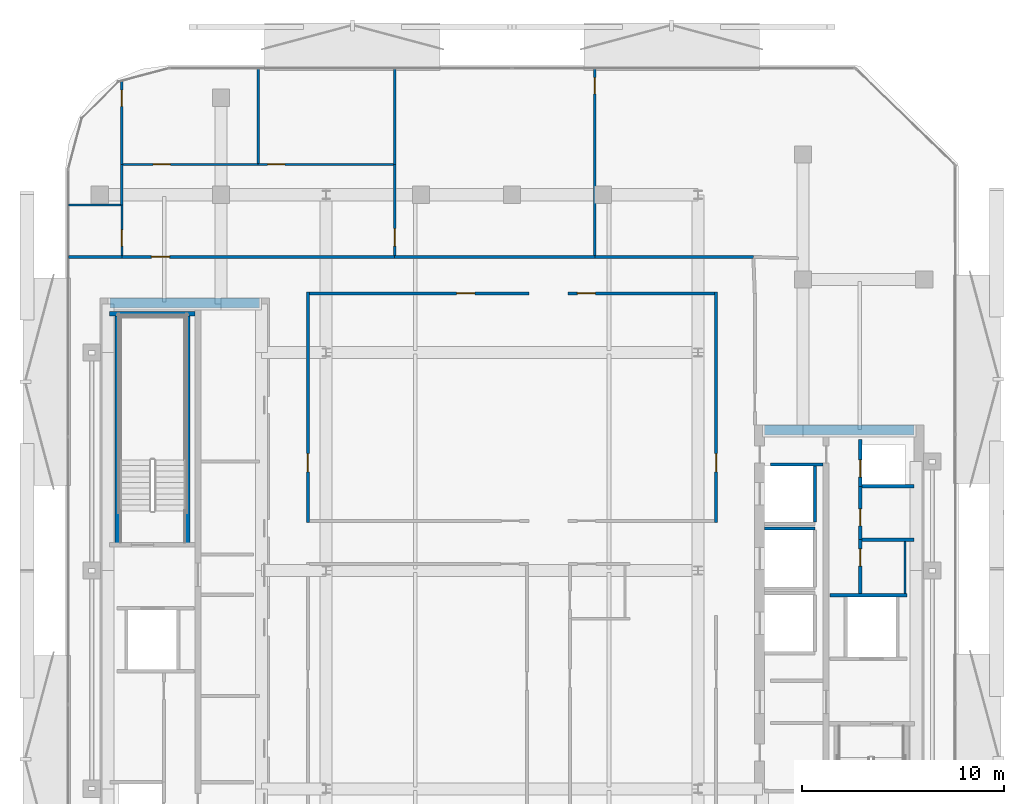
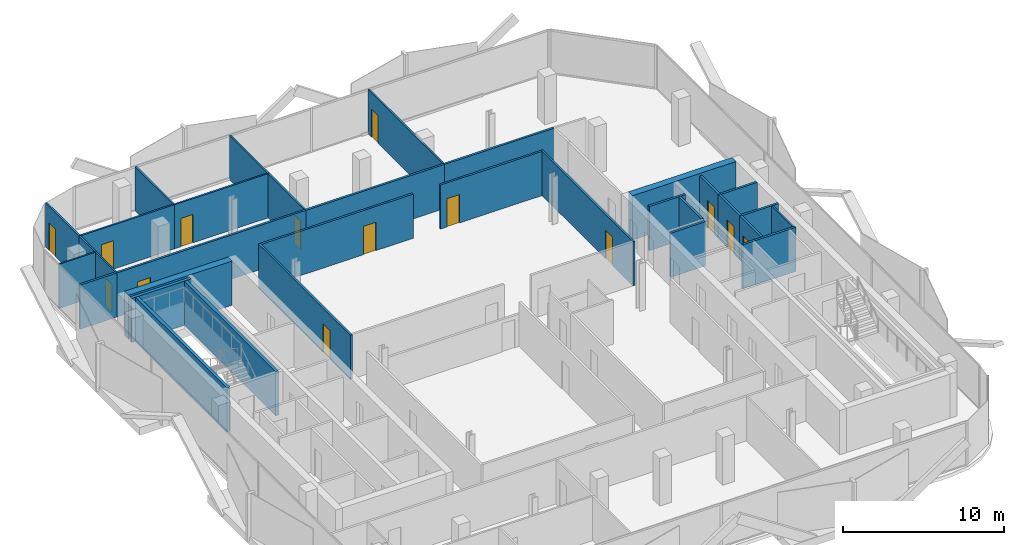
# One storey, part 5 of 14: 33 walls, 14 doors, 14 openings.
"""IFC4 building model written with IfcOpenShell, lengths in metres."""

from ifc_helpers import new_model, si_unit, direction, frame, frame_2d, origin, place, context, subcontext, project, spatial, rectangle, extrude, material, layer, layer_set, type_object, element, fill, save


model = new_model("IFC4")

# Units and contexts
model_context = context("Model", 3, precision=1e-05, world=origin(), true_north=direction((0.0, 1.0)))
body_context = subcontext(model_context, "Body", "Model", "MODEL_VIEW")
ifc_project = project(units=[si_unit("LENGTHUNIT", "METRE"), si_unit("AREAUNIT", "SQUARE_METRE"), si_unit("VOLUMEUNIT", "CUBIC_METRE"), si_unit("PLANEANGLEUNIT", "RADIAN"), si_unit("MASSUNIT", "GRAM", prefix="KILO")], contexts=[model_context])

# Site, building, storey
site_placement = place(None, origin())
site = spatial("IfcSite", under=ifc_project, at=site_placement, CompositionType="ELEMENT")
building_placement = place(site_placement, origin())
building = spatial("IfcBuilding", under=site, at=building_placement, Name="Khairoan Windgate Tower", CompositionType="ELEMENT")
storey_placement = place(building_placement, frame((0.0, 0.0, 240.39990234375)))
storey = spatial("IfcBuildingStorey", under=building, at=storey_placement, Name="L56", CompositionType="ELEMENT", Elevation=240.39990234375)

# Wall
ifc_material_1 = material(Name="Moisture-Resistant Gypsum Partition", Category="gypsum")
ifc_layer_1 = layer(ifc_material_1, 0.10009765625, Name="Moisture-Resistant Gypsum Partition")
ifc_layer_set_1 = layer_set([ifc_layer_1], Name="Moisture-Resistant Gypsum Partition")
wall_type_1 = type_object("IfcWallType", Name="Bathroom Wet-Area Partition Wall", PredefinedType="PARTITIONING", material=ifc_layer_set_1)
wall_1_placement = place(storey_placement, frame((-21.955078125, 18.10009765625, 0.0), z_axis=(0.0, 0.0, 1.0), x_axis=(1.0, 0.0, 0.0)))
element("IfcWall", 1, at=wall_1_placement, inside=storey, type_object=wall_type_1, Name="L56 Interior Partition 037", PredefinedType="PARTITIONING", context=body_context, shape_type="SweptSolid", body=[
    extrude(rectangle(XDim=2.594970703125, YDim=0.10009765625, at=frame_2d((1.29736328125, 0.0))), origin(), (0.0, 0.0, 1.0), 3.340087890625),
])

# Wall, opening, door
wall_2_placement = place(storey_placement, frame((-19.31005859375, 15.60009765625, 0.0), z_axis=(0.0, 0.0, 1.0), x_axis=(0.0, 1.0, 0.0)))
wall_2 = element("IfcWall", 2, at=wall_2_placement, inside=storey, type_object=wall_type_1, Name="L56 Interior Partition 038", PredefinedType="PARTITIONING", context=body_context, shape_type="SweptSolid", body=[
    extrude(rectangle(XDim=2.5, YDim=0.10009765625, at=frame_2d((1.25, 0.0))), origin(), (0.0, 0.0, 1.0), 3.340087890625),
])
opening_1_placement = place(wall_2_placement, frame((0.4599609375, 0.0, 0.0)))
opening_1 = element("IfcOpeningElement", 3, at=opening_1_placement, cuts=wall_2, Name="Opening ID-BTH", PredefinedType="OPENING", context=body_context, shape_type="SweptSolid", body=[
    extrude(rectangle(XDim=0.800048828125, YDim=2.10009765625, at=frame_2d((0.39990234375, 1.050048828125))), frame((0.0, 0.06005859375, 0.0), z_axis=(0.0, -1.0, 0.0), x_axis=(1.0, 0.0, 0.0)), (0.0, 0.0, 1.0), 0.1201171875),
])
ifc_material_2 = material(Name="Teak Veneer Timber Leaf", Category="wood")
door_type_1 = type_object("IfcDoorType", Name="Internal Bathroom Door ID-BTH 800x2100", OperationType="NOTDEFINED", PredefinedType="DOOR", material=ifc_material_2)
door_1_placement = place(opening_1_placement, origin())
door_1 = element("IfcDoor", 4, at=door_1_placement, inside=storey, type_object=door_type_1, Name="L56 L56-33-L56-35 Door", OperationType="SINGLE_SWING_RIGHT", OverallHeight=2.10009765625, OverallWidth=0.800048828125, PredefinedType="DOOR", context=body_context, shape_type="SweptSolid", body=[
    extrude(rectangle(XDim=0.800048828125, YDim=2.10009765625, at=frame_2d((0.39990234375, 1.050048828125))), frame((0.0, 0.02490234375, 0.0), z_axis=(0.0, -1.0, 0.0), x_axis=(1.0, 0.0, 0.0)), (0.0, 0.0, 1.0), 0.050048828125),
])
fill(opening_1, door_1)

# Walls
wall_3_placement = place(storey_placement, frame((19.449951171875, 1.449951171875, 0.0), z_axis=(0.0, 0.0, 1.0), x_axis=(0.0, -1.0, 0.0)))
element("IfcWall", 5, at=wall_3_placement, inside=storey, type_object=wall_type_1, Name="L56 Wet Room Side Wall 059", PredefinedType="PARTITIONING", context=body_context, shape_type="SweptSolid", body=[
    extrude(rectangle(XDim=2.58984375, YDim=0.10009765625, at=frame_2d((1.294921875, 0.0))), origin(), (0.0, 0.0, 1.0), 3.340087890625),
])
ifc_material_3 = material(Name="Concrete C40/50", Category="concrete")
ifc_layer_2 = layer(ifc_material_3, 0.159912109375, Name="Concrete C40/50")
ifc_layer_set_2 = layer_set([ifc_layer_2], Name="Concrete C40/50")
wall_type_2 = type_object("IfcWallType", Name="Core and Hoistway Enclosure Wall", PredefinedType="STANDARD", material=ifc_layer_set_2)
wall_4_placement = place(storey_placement, frame((14.989990234375, 2.39990234375, 0.0), z_axis=(0.0, 0.0, 1.0), x_axis=(0.0, 1.0, 0.0)))
element("IfcWall", 6, at=wall_4_placement, inside=storey, type_object=wall_type_2, Name="L56 Lift PL7 Hoistway Back Wall", PredefinedType="STANDARD", context=body_context, shape_type="SweptSolid", body=[
    extrude(rectangle(XDim=2.800048828125, YDim=0.159912109375, at=frame_2d((1.39990234375, 0.0))), origin(), (0.0, 0.0, 1.0), 3.340087890625),
])
wall_5_placement = place(storey_placement, frame((12.5, 2.090087890625, 0.0), z_axis=(0.0, 0.0, 1.0), x_axis=(1.0, 0.0, 0.0)))
element("IfcWall", 7, at=wall_5_placement, inside=storey, type_object=wall_type_2, Name="L56 Lift PL8 Hoistway Divider N", PredefinedType="STANDARD", context=body_context, shape_type="SweptSolid", body=[
    extrude(rectangle(XDim=2.489990234375, YDim=0.159912109375, at=frame_2d((1.2451171875, 0.0))), origin(), (0.0, 0.0, 1.0), 3.340087890625),
])
wall_6_placement = place(storey_placement, frame((15.75, -1.219970703125, 0.0), z_axis=(0.0, 0.0, 1.0), x_axis=(1.0, 0.0, 0.0)))
element("IfcWall", 8, at=wall_6_placement, inside=storey, type_object=wall_type_2, Name="L56 Core Shaft Wall SW-FL1T-L56", PredefinedType="STANDARD", context=body_context, shape_type="SweptSolid", body=[
    extrude(rectangle(XDim=3.800048828125, YDim=0.159912109375, at=frame_2d((1.89990234375, 0.0))), origin(), (0.0, 0.0, 1.0), 3.340087890625),
])
wall_7_placement = place(storey_placement, frame((12.800048828125, 5.25, 0.0), z_axis=(0.0, 0.0, 1.0), x_axis=(1.0, 0.0, 0.0)))
element("IfcWall", 9, at=wall_7_placement, inside=storey, type_object=wall_type_2, Name="L56 Core Shaft Wall SW-ESV-L56", PredefinedType="STANDARD", context=body_context, shape_type="SweptSolid", body=[
    extrude(rectangle(XDim=2.599853515625, YDim=0.159912109375, at=frame_2d((1.2998046875, 0.0))), origin(), (0.0, 0.0, 1.0), 3.340087890625),
])
ifc_material_4 = material(Name="Gypsum Stud Partition", Category="gypsum")
ifc_layer_3 = layer(ifc_material_4, 0.1201171875, Name="Gypsum Stud Partition")
ifc_layer_set_3 = layer_set([ifc_layer_3], Name="Gypsum Stud Partition")
wall_type_3 = type_object("IfcWallType", Name="Internal Room Partition Wall", PredefinedType="PARTITIONING", material=ifc_layer_set_3)
wall_8_placement = place(storey_placement, frame((-19.31005859375, 18.10009765625, 0.0), z_axis=(0.0, 0.0, 1.0), x_axis=(0.0, 1.0, 0.0)))
element("IfcWall", 10, at=wall_8_placement, inside=storey, type_object=wall_type_3, Name="L56 Interior Partition 039", PredefinedType="PARTITIONING", context=body_context, shape_type="SweptSolid", body=[
    extrude(rectangle(XDim=2.0, YDim=0.1201171875, at=frame_2d((1.0, 0.0))), origin(), (0.0, 0.0, 1.0), 3.340087890625),
])

# Wall, opening, door
wall_9_placement = place(storey_placement, frame((-19.31005859375, 20.10009765625, 0.0), z_axis=(0.0, 0.0, 1.0), x_axis=(0.0, 1.0, 0.0)))
wall_9 = element("IfcWall", 11, at=wall_9_placement, inside=storey, type_object=wall_type_3, Name="L56 Interior Partition 040", PredefinedType="PARTITIONING", context=body_context, shape_type="SweptSolid", body=[
    extrude(rectangle(XDim=4.134521484375, YDim=0.1201171875, at=frame_2d((2.0673828125, 0.0))), origin(), (0.0, 0.0, 1.0), 3.340087890625),
])
opening_2_placement = place(wall_9_placement, frame((2.874755859375, 0.0, 0.0)))
opening_2 = element("IfcOpeningElement", 12, at=opening_2_placement, cuts=wall_9, Name="Opening ID-BTH", PredefinedType="OPENING", context=body_context, shape_type="SweptSolid", body=[
    extrude(rectangle(XDim=0.800048828125, YDim=2.10009765625, at=frame_2d((0.39990234375, 1.050048828125))), frame((0.0, 0.070068359375, 0.0), z_axis=(0.0, -1.0, 0.0), x_axis=(1.0, 0.0, 0.0)), (0.0, 0.0, 1.0), 0.14013671875),
])
door_2_placement = place(opening_2_placement, origin())
door_2 = element("IfcDoor", 13, at=door_2_placement, inside=storey, type_object=door_type_1, Name="L56 L56-34-L56-38 Door", OperationType="SINGLE_SWING_RIGHT", OverallHeight=2.10009765625, OverallWidth=0.800048828125, PredefinedType="DOOR", context=body_context, shape_type="SweptSolid", body=[
    extrude(rectangle(XDim=0.800048828125, YDim=2.10009765625, at=frame_2d((0.39990234375, 1.050048828125))), frame((0.0, 0.02490234375, 0.0), z_axis=(0.0, -1.0, 0.0), x_axis=(1.0, 0.0, 0.0)), (0.0, 0.0, 1.0), 0.050048828125),
])
fill(opening_2, door_2)

wall_10_placement = place(storey_placement, frame((-5.81005859375, 15.60009765625, 0.0), z_axis=(0.0, 0.0, 1.0), x_axis=(0.0, 1.0, 0.0)))
wall_10 = element("IfcWall", 14, at=wall_10_placement, inside=storey, type_object=wall_type_3, Name="L56 Interior Partition 041", PredefinedType="PARTITIONING", context=body_context, shape_type="SweptSolid", body=[
    extrude(rectangle(XDim=4.5, YDim=0.1201171875, at=frame_2d((2.25, 0.0))), origin(), (0.0, 0.0, 1.0), 3.340087890625),
])
opening_3_placement = place(wall_10_placement, frame((0.4599609375, 0.0, 0.0)))
opening_3 = element("IfcOpeningElement", 15, at=opening_3_placement, cuts=wall_10, Name="Opening ID-RM", PredefinedType="OPENING", context=body_context, shape_type="SweptSolid", body=[
    extrude(rectangle(XDim=0.860107421875, YDim=2.14990234375, at=frame_2d((0.43017578125, 1.074951171875))), frame((0.0, 0.070068359375, 0.0), z_axis=(0.0, -1.0, 0.0), x_axis=(1.0, 0.0, 0.0)), (0.0, 0.0, 1.0), 0.14013671875),
])
ifc_material_5 = material(Name="Teak Veneer Timber Leaf", Category="wood")
door_type_2 = type_object("IfcDoorType", Name="Internal Bedroom and Office Door ID-RM 860x2150", OperationType="NOTDEFINED", PredefinedType="DOOR", material=ifc_material_5)
door_3_placement = place(opening_3_placement, origin())
door_3 = element("IfcDoor", 16, at=door_3_placement, inside=storey, type_object=door_type_2, Name="L56 L56-35-L56-36 Door", OperationType="SINGLE_SWING_RIGHT", OverallHeight=2.14990234375, OverallWidth=0.860107421875, PredefinedType="DOOR", context=body_context, shape_type="SweptSolid", body=[
    extrude(rectangle(XDim=0.860107421875, YDim=2.14990234375, at=frame_2d((0.43017578125, 1.074951171875))), frame((0.0, 0.02490234375, 0.0), z_axis=(0.0, -1.0, 0.0), x_axis=(1.0, 0.0, 0.0)), (0.0, 0.0, 1.0), 0.050048828125),
])
fill(opening_3, door_3)

wall_11_placement = place(storey_placement, frame((-19.25, 20.10009765625, 0.0), z_axis=(0.0, 0.0, 1.0), x_axis=(1.0, 0.0, 0.0)))
wall_11 = element("IfcWall", 17, at=wall_11_placement, inside=storey, type_object=wall_type_3, Name="L56 Interior Partition 042", PredefinedType="PARTITIONING", context=body_context, shape_type="SweptSolid", body=[
    extrude(rectangle(XDim=6.68994140625, YDim=0.1201171875, at=frame_2d((3.344970703125, 0.0))), origin(), (0.0, 0.0, 1.0), 3.340087890625),
])
opening_4_placement = place(wall_11_placement, frame((1.48291015625, 0.0, 0.0)))
opening_4 = element("IfcOpeningElement", 18, at=opening_4_placement, cuts=wall_11, Name="Opening ID-RM", PredefinedType="OPENING", context=body_context, shape_type="SweptSolid", body=[
    extrude(rectangle(XDim=0.860107421875, YDim=2.14990234375, at=frame_2d((0.43017578125, 1.074951171875))), frame((0.0, 0.070068359375, 0.0), z_axis=(0.0, -1.0, 0.0), x_axis=(1.0, 0.0, 0.0)), (0.0, 0.0, 1.0), 0.14013671875),
])
door_4_placement = place(opening_4_placement, origin())
door_4 = element("IfcDoor", 19, at=door_4_placement, inside=storey, type_object=door_type_2, Name="L56 L56-35-L56-38 Door", OperationType="SINGLE_SWING_LEFT", OverallHeight=2.14990234375, OverallWidth=0.860107421875, PredefinedType="DOOR", context=body_context, shape_type="SweptSolid", body=[
    extrude(rectangle(XDim=0.860107421875, YDim=2.14990234375, at=frame_2d((0.43017578125, 1.074951171875))), frame((0.0, 0.02490234375, 0.0), z_axis=(0.0, -1.0, 0.0), x_axis=(1.0, 0.0, 0.0)), (0.0, 0.0, 1.0), 0.050048828125),
])
fill(opening_4, door_4)

wall_12_placement = place(storey_placement, frame((-12.56005859375, 20.10009765625, 0.0), z_axis=(0.0, 0.0, 1.0), x_axis=(1.0, 0.0, 0.0)))
wall_12 = element("IfcWall", 20, at=wall_12_placement, inside=storey, type_object=wall_type_3, Name="L56 Interior Partition 043", PredefinedType="PARTITIONING", context=body_context, shape_type="SweptSolid", body=[
    extrude(rectangle(XDim=6.68994140625, YDim=0.1201171875, at=frame_2d((3.344970703125, 0.0))), origin(), (0.0, 0.0, 1.0), 3.340087890625),
])
opening_5_placement = place(wall_12_placement, frame((0.4599609375, 0.0, 0.0)))
opening_5 = element("IfcOpeningElement", 21, at=opening_5_placement, cuts=wall_12, Name="Opening ID-RM", PredefinedType="OPENING", context=body_context, shape_type="SweptSolid", body=[
    extrude(rectangle(XDim=0.860107421875, YDim=2.14990234375, at=frame_2d((0.43017578125, 1.074951171875))), frame((0.0, 0.070068359375, 0.0), z_axis=(0.0, -1.0, 0.0), x_axis=(1.0, 0.0, 0.0)), (0.0, 0.0, 1.0), 0.14013671875),
])
door_5_placement = place(opening_5_placement, origin())
door_5 = element("IfcDoor", 22, at=door_5_placement, inside=storey, type_object=door_type_2, Name="L56 L56-35-L56-39 Door", OperationType="SINGLE_SWING_RIGHT", OverallHeight=2.14990234375, OverallWidth=0.860107421875, PredefinedType="DOOR", context=body_context, shape_type="SweptSolid", body=[
    extrude(rectangle(XDim=0.860107421875, YDim=2.14990234375, at=frame_2d((0.43017578125, 1.074951171875))), frame((0.0, 0.02490234375, 0.0), z_axis=(0.0, -1.0, 0.0), x_axis=(1.0, 0.0, 0.0)), (0.0, 0.0, 1.0), 0.050048828125),
])
fill(opening_5, door_5)

wall_13_placement = place(storey_placement, frame((4.10498046875, 15.60009765625, 0.0), z_axis=(0.0, 0.0, 1.0), x_axis=(0.0, 1.0, 0.0)))
wall_13 = element("IfcWall", 23, at=wall_13_placement, inside=storey, type_object=wall_type_3, Name="L56 Interior Partition 044", PredefinedType="PARTITIONING", context=body_context, shape_type="SweptSolid", body=[
    extrude(rectangle(XDim=9.2548828125, YDim=0.1201171875, at=frame_2d((4.62744140625, 0.0))), origin(), (0.0, 0.0, 1.0), 3.340087890625),
])
opening_6_placement = place(wall_13_placement, frame((7.9951171875, 0.0, 0.0)))
opening_6 = element("IfcOpeningElement", 24, at=opening_6_placement, cuts=wall_13, Name="Opening ID-BTH", PredefinedType="OPENING", context=body_context, shape_type="SweptSolid", body=[
    extrude(rectangle(XDim=0.800048828125, YDim=2.10009765625, at=frame_2d((0.39990234375, 1.050048828125))), frame((0.0, 0.070068359375, 0.0), z_axis=(0.0, -1.0, 0.0), x_axis=(1.0, 0.0, 0.0)), (0.0, 0.0, 1.0), 0.14013671875),
])
door_6_placement = place(opening_6_placement, origin())
door_6 = element("IfcDoor", 25, at=door_6_placement, inside=storey, type_object=door_type_1, Name="L56 L56-36-L56-37 Door", OperationType="SINGLE_SWING_RIGHT", OverallHeight=2.10009765625, OverallWidth=0.800048828125, PredefinedType="DOOR", context=body_context, shape_type="SweptSolid", body=[
    extrude(rectangle(XDim=0.800048828125, YDim=2.10009765625, at=frame_2d((0.39990234375, 1.050048828125))), frame((0.0, 0.02490234375, 0.0), z_axis=(0.0, -1.0, 0.0), x_axis=(1.0, 0.0, 0.0)), (0.0, 0.0, 1.0), 0.050048828125),
])
fill(opening_6, door_6)

# Walls
wall_14_placement = place(storey_placement, frame((-5.81005859375, 20.10009765625, 0.0), z_axis=(0.0, 0.0, 1.0), x_axis=(0.0, 1.0, 0.0)))
element("IfcWall", 26, at=wall_14_placement, inside=storey, type_object=wall_type_3, Name="L56 Interior Partition 045", PredefinedType="PARTITIONING", context=body_context, shape_type="SweptSolid", body=[
    extrude(rectangle(XDim=4.7548828125, YDim=0.1201171875, at=frame_2d((2.37744140625, 0.0))), origin(), (0.0, 0.0, 1.0), 3.340087890625),
])
wall_15_placement = place(storey_placement, frame((-12.56005859375, 20.159912109375, 0.0), z_axis=(0.0, 0.0, 1.0), x_axis=(0.0, 1.0, 0.0)))
element("IfcWall", 27, at=wall_15_placement, inside=storey, type_object=wall_type_3, Name="L56 Interior Partition 047", PredefinedType="PARTITIONING", context=body_context, shape_type="SweptSolid", body=[
    extrude(rectangle(XDim=4.695068359375, YDim=0.1201171875, at=frame_2d((2.34765625, 0.0))), origin(), (0.0, 0.0, 1.0), 3.340087890625),
])

# Wall, opening, door
ifc_material_6 = material(Name="Concrete C40/50", Category="concrete")
ifc_layer_4 = layer(ifc_material_6, 0.159912109375, Name="Concrete C40/50")
ifc_layer_set_4 = layer_set([ifc_layer_4], Name="Concrete C40/50")
wall_type_4 = type_object("IfcWallType", Name="Plant and Refuge Compartment Wall", PredefinedType="PARTITIONING", material=ifc_layer_set_4)
wall_16_placement = place(storey_placement, frame((17.22998046875, 4.169921875, 0.0), z_axis=(0.0, 0.0, 1.0), x_axis=(0.0, 1.0, 0.0)))
wall_16 = element("IfcWall", 28, at=wall_16_placement, inside=storey, type_object=wall_type_4, Name="L56 Interior Partition 006", PredefinedType="PARTITIONING", context=body_context, shape_type="SweptSolid", body=[
    extrude(rectangle(XDim=2.320068359375, YDim=0.159912109375, at=frame_2d((1.16015625, 0.0))), origin(), (0.0, 0.0, 1.0), 3.340087890625),
])
opening_7_placement = place(wall_16_placement, frame((0.4599609375, 0.0, 0.0)))
opening_7 = element("IfcOpeningElement", 29, at=opening_7_placement, cuts=wall_16, Name="Opening FD-SRV", PredefinedType="OPENING", context=body_context, shape_type="SweptSolid", body=[
    extrude(rectangle(XDim=0.85009765625, YDim=2.10009765625, at=frame_2d((0.425048828125, 1.050048828125))), frame((0.0, 0.08984375, 0.0), z_axis=(0.0, -1.0, 0.0), x_axis=(1.0, 0.0, 0.0)), (0.0, 0.0, 1.0), 0.179931640625),
])
ifc_material_7 = material(Name="Steel S355", Category="steel")
door_type_3 = type_object("IfcDoorType", Name="Core Service and Riser Fire Door FD-SRV 850x2100", OperationType="NOTDEFINED", PredefinedType="DOOR", material=ifc_material_7)
door_7_placement = place(opening_7_placement, origin())
door_7 = element("IfcDoor", 30, at=door_7_placement, inside=storey, type_object=door_type_3, Name="L56 L56-16-L56-17 Door", OperationType="SINGLE_SWING_RIGHT", OverallHeight=2.10009765625, OverallWidth=0.85009765625, PredefinedType="DOOR", context=body_context, shape_type="SweptSolid", body=[
    extrude(rectangle(XDim=0.85009765625, YDim=2.10009765625, at=frame_2d((0.425048828125, 1.050048828125))), frame((0.0, 0.02490234375, 0.0), z_axis=(0.0, -1.0, 0.0), x_axis=(1.0, 0.0, 0.0)), (0.0, 0.0, 1.0), 0.050048828125),
])
fill(opening_7, door_7)

wall_17_placement = place(storey_placement, frame((17.22998046875, -1.139892578125, 0.0), z_axis=(0.0, 0.0, 1.0), x_axis=(0.0, 1.0, 0.0)))
wall_17 = element("IfcWall", 31, at=wall_17_placement, inside=storey, type_object=wall_type_4, Name="L56 Interior Partition 007", PredefinedType="PARTITIONING", context=body_context, shape_type="SweptSolid", body=[
    extrude(rectangle(XDim=2.669921875, YDim=0.159912109375, at=frame_2d((1.3349609375, 0.0))), origin(), (0.0, 0.0, 1.0), 3.340087890625),
])
opening_8_placement = place(wall_17_placement, frame((1.360107421875, 0.0, 0.0)))
opening_8 = element("IfcOpeningElement", 32, at=opening_8_placement, cuts=wall_17, Name="Opening FD-SRV", PredefinedType="OPENING", context=body_context, shape_type="SweptSolid", body=[
    extrude(rectangle(XDim=0.85009765625, YDim=2.10009765625, at=frame_2d((0.425048828125, 1.050048828125))), frame((0.0, 0.08984375, 0.0), z_axis=(0.0, -1.0, 0.0), x_axis=(1.0, 0.0, 0.0)), (0.0, 0.0, 1.0), 0.179931640625),
])
door_8_placement = place(opening_8_placement, origin())
door_8 = element("IfcDoor", 33, at=door_8_placement, inside=storey, type_object=door_type_3, Name="L56 L56-16-L56-18 Door", OperationType="SINGLE_SWING_LEFT", OverallHeight=2.10009765625, OverallWidth=0.85009765625, PredefinedType="DOOR", context=body_context, shape_type="SweptSolid", body=[
    extrude(rectangle(XDim=0.85009765625, YDim=2.10009765625, at=frame_2d((0.425048828125, 1.050048828125))), frame((0.0, 0.02490234375, 0.0), z_axis=(0.0, -1.0, 0.0), x_axis=(1.0, 0.0, 0.0)), (0.0, 0.0, 1.0), 0.050048828125),
])
fill(opening_8, door_8)

wall_18_placement = place(storey_placement, frame((17.22998046875, 1.530029296875, 0.0), z_axis=(0.0, 0.0, 1.0), x_axis=(0.0, 1.0, 0.0)))
wall_18 = element("IfcWall", 34, at=wall_18_placement, inside=storey, type_object=wall_type_4, Name="L56 Interior Partition 008", PredefinedType="PARTITIONING", context=body_context, shape_type="SweptSolid", body=[
    extrude(rectangle(XDim=2.639892578125, YDim=0.159912109375, at=frame_2d((1.31982421875, 0.0))), origin(), (0.0, 0.0, 1.0), 3.340087890625),
])
opening_9_placement = place(wall_18_placement, frame((0.677490234375, 0.0, 0.0)))
opening_9 = element("IfcOpeningElement", 35, at=opening_9_placement, cuts=wall_18, Name="Opening FD-SRV", PredefinedType="OPENING", context=body_context, shape_type="SweptSolid", body=[
    extrude(rectangle(XDim=0.85009765625, YDim=2.10009765625, at=frame_2d((0.425048828125, 1.050048828125))), frame((0.0, 0.08984375, 0.0), z_axis=(0.0, -1.0, 0.0), x_axis=(1.0, 0.0, 0.0)), (0.0, 0.0, 1.0), 0.179931640625),
])
door_9_placement = place(opening_9_placement, origin())
door_9 = element("IfcDoor", 36, at=door_9_placement, inside=storey, type_object=door_type_3, Name="L56 L56-16-L56-19 Door", OperationType="SINGLE_SWING_RIGHT", OverallHeight=2.10009765625, OverallWidth=0.85009765625, PredefinedType="DOOR", context=body_context, shape_type="SweptSolid", body=[
    extrude(rectangle(XDim=0.85009765625, YDim=2.10009765625, at=frame_2d((0.425048828125, 1.050048828125))), frame((0.0, 0.02490234375, 0.0), z_axis=(0.0, -1.0, 0.0), x_axis=(1.0, 0.0, 0.0)), (0.0, 0.0, 1.0), 0.050048828125),
])
fill(opening_9, door_9)

# Walls
for number, where, z_axis, x_axis, name in (
    (37, (17.31005859375, 4.169921875, 0.0), (0.0, 0.0, 1.0), (1.0, 0.0, 0.0), "L56 Interior Partition 009"),
    (38, (17.31005859375, 1.530029296875, 0.0), (0.0, 0.0, 1.0), (1.0, 0.0, 0.0), "L56 Interior Partition 010"),
):
    element("IfcWall", number, at=place(storey_placement, frame(where, z_axis=z_axis, x_axis=x_axis)), inside=storey, type_object=wall_type_4, Name=name, PredefinedType="PARTITIONING", context=body_context, shape_type="SweptSolid", body=[
        extrude(rectangle(XDim=2.58984375, YDim=0.159912109375, at=frame_2d((1.294921875, 0.0))), origin(), (0.0, 0.0, 1.0), 3.340087890625),
    ])

# Wall, opening, door
ifc_material_8 = material(Name="Acoustic Fire-Rated Gypsum Partition", Category="gypsum")
ifc_layer_5 = layer(ifc_material_8, 0.14990234375, Name="Acoustic Fire-Rated Gypsum Partition")
ifc_layer_set_5 = layer_set([ifc_layer_5], Name="Acoustic Fire-Rated Gypsum Partition")
wall_type_5 = type_object("IfcWallType", Name="Rated Corridor Partition Wall", PredefinedType="PARTITIONING", material=ifc_layer_set_5)
wall_19_placement = place(storey_placement, frame((-10.10009765625, 2.389892578125, 0.0), z_axis=(0.0, 0.0, 1.0), x_axis=(0.0, 1.0, 0.0)))
wall_19 = element("IfcWall", 39, at=wall_19_placement, inside=storey, type_object=wall_type_5, Name="L56 Interior Partition 012", PredefinedType="PARTITIONING", context=body_context, shape_type="SweptSolid", body=[
    extrude(rectangle(XDim=11.405029296875, YDim=0.14990234375, at=frame_2d((5.70263671875, 0.0))), origin(), (0.0, 0.0, 1.0), 3.340087890625),
])
opening_10_placement = place(wall_19_placement, frame((2.49951171875, 0.0, 0.0)))
opening_10 = element("IfcOpeningElement", 40, at=opening_10_placement, cuts=wall_19, Name="Opening FD-ENT", PredefinedType="OPENING", context=body_context, shape_type="SweptSolid", body=[
    extrude(rectangle(XDim=0.89990234375, YDim=2.14990234375, at=frame_2d((0.449951171875, 1.074951171875))), frame((0.0, 0.0849609375, 0.0), z_axis=(0.0, -1.0, 0.0), x_axis=(1.0, 0.0, 0.0)), (0.0, 0.0, 1.0), 0.169921875),
])
ifc_material_9 = material(Name="Timber Fire-Rated Core", Category="wood")
door_type_4 = type_object("IfcDoorType", Name="Unit and Office Fire Entrance Door FD-ENT 900x2150", OperationType="NOTDEFINED", PredefinedType="DOOR", material=ifc_material_9)
door_10_placement = place(opening_10_placement, origin())
door_10 = element("IfcDoor", 41, at=door_10_placement, inside=storey, type_object=door_type_4, Name="L56 L56-27-L56-48 Door", OperationType="SINGLE_SWING_LEFT", OverallHeight=2.14990234375, OverallWidth=0.89990234375, PredefinedType="DOOR", context=body_context, shape_type="SweptSolid", body=[
    extrude(rectangle(XDim=0.89990234375, YDim=2.14990234375, at=frame_2d((0.449951171875, 1.074951171875))), frame((0.0, 0.02490234375, 0.0), z_axis=(0.0, -1.0, 0.0), x_axis=(1.0, 0.0, 0.0)), (0.0, 0.0, 1.0), 0.050048828125),
])
fill(opening_10, door_10)

wall_20_placement = place(storey_placement, frame((10.10009765625, 2.389892578125, 0.0), z_axis=(0.0, 0.0, 1.0), x_axis=(0.0, 1.0, 0.0)))
wall_20 = element("IfcWall", 42, at=wall_20_placement, inside=storey, type_object=wall_type_5, Name="L56 Interior Partition 015", PredefinedType="PARTITIONING", context=body_context, shape_type="SweptSolid", body=[
    extrude(rectangle(XDim=11.405029296875, YDim=0.14990234375, at=frame_2d((5.70263671875, 0.0))), origin(), (0.0, 0.0, 1.0), 3.340087890625),
])
opening_11_placement = place(wall_20_placement, frame((2.49951171875, 0.0, 0.0)))
opening_11 = element("IfcOpeningElement", 43, at=opening_11_placement, cuts=wall_20, Name="Opening FD-ENT", PredefinedType="OPENING", context=body_context, shape_type="SweptSolid", body=[
    extrude(rectangle(XDim=0.89990234375, YDim=2.14990234375, at=frame_2d((0.449951171875, 1.074951171875))), frame((0.0, 0.0849609375, 0.0), z_axis=(0.0, -1.0, 0.0), x_axis=(1.0, 0.0, 0.0)), (0.0, 0.0, 1.0), 0.169921875),
])
door_11_placement = place(opening_11_placement, origin())
door_11 = element("IfcDoor", 44, at=door_11_placement, inside=storey, type_object=door_type_4, Name="L56 L56-28-L56-50 Door", OperationType="SINGLE_SWING_RIGHT", OverallHeight=2.14990234375, OverallWidth=0.89990234375, PredefinedType="DOOR", context=body_context, shape_type="SweptSolid", body=[
    extrude(rectangle(XDim=0.89990234375, YDim=2.14990234375, at=frame_2d((0.449951171875, 1.074951171875))), frame((0.0, 0.02490234375, 0.0), z_axis=(0.0, -1.0, 0.0), x_axis=(1.0, 0.0, 0.0)), (0.0, 0.0, 1.0), 0.050048828125),
])
fill(opening_11, door_11)

# Wall
wall_21_placement = place(storey_placement, frame((-21.955078125, 15.52490234375, 0.0), z_axis=(0.0, 0.0, 1.0), x_axis=(1.0, 0.0, 0.0)))
element("IfcWall", 45, at=wall_21_placement, inside=storey, type_object=wall_type_5, Name="L56 Interior Partition 024", PredefinedType="PARTITIONING", context=body_context, shape_type="SweptSolid", body=[
    extrude(rectangle(XDim=2.64501953125, YDim=0.14990234375, at=frame_2d((1.322509765625, 0.0))), origin(), (0.0, 0.0, 1.0), 3.340087890625),
])

# Wall, opening, door
wall_22_placement = place(storey_placement, frame((-19.31005859375, 15.52490234375, 0.0), z_axis=(0.0, 0.0, 1.0), x_axis=(1.0, 0.0, 0.0)))
wall_22 = element("IfcWall", 46, at=wall_22_placement, inside=storey, type_object=wall_type_5, Name="L56 Interior Partition 025", PredefinedType="PARTITIONING", context=body_context, shape_type="SweptSolid", body=[
    extrude(rectangle(XDim=13.5, YDim=0.14990234375, at=frame_2d((6.75, 0.0))), origin(), (0.0, 0.0, 1.0), 3.340087890625),
])
opening_12_placement = place(wall_22_placement, frame((1.466796875, 0.0, 0.0)))
opening_12 = element("IfcOpeningElement", 47, at=opening_12_placement, cuts=wall_22, Name="Opening FD-ENT", PredefinedType="OPENING", context=body_context, shape_type="SweptSolid", body=[
    extrude(rectangle(XDim=0.89990234375, YDim=2.14990234375, at=frame_2d((0.449951171875, 1.074951171875))), frame((0.0, 0.0849609375, 0.0), z_axis=(0.0, -1.0, 0.0), x_axis=(1.0, 0.0, 0.0)), (0.0, 0.0, 1.0), 0.169921875),
])
door_12_placement = place(opening_12_placement, origin())
door_12 = element("IfcDoor", 48, at=door_12_placement, inside=storey, type_object=door_type_4, Name="L56 L56-31-L56-35 Door", OperationType="SINGLE_SWING_LEFT", OverallHeight=2.14990234375, OverallWidth=0.89990234375, PredefinedType="DOOR", context=body_context, shape_type="SweptSolid", body=[
    extrude(rectangle(XDim=0.89990234375, YDim=2.14990234375, at=frame_2d((0.449951171875, 1.074951171875))), frame((0.0, 0.02490234375, 0.0), z_axis=(0.0, -1.0, 0.0), x_axis=(1.0, 0.0, 0.0)), (0.0, 0.0, 1.0), 0.050048828125),
])
fill(opening_12, door_12)

# Walls
wall_23_placement = place(storey_placement, frame((-5.81005859375, 15.52490234375, 0.0), z_axis=(0.0, 0.0, 1.0), x_axis=(1.0, 0.0, 0.0)))
element("IfcWall", 49, at=wall_23_placement, inside=storey, type_object=wall_type_5, Name="L56 Interior Partition 026", PredefinedType="PARTITIONING", context=body_context, shape_type="SweptSolid", body=[
    extrude(rectangle(XDim=9.9150390625, YDim=0.14990234375, at=frame_2d((4.95751953125, 0.0))), origin(), (0.0, 0.0, 1.0), 3.340087890625),
])
wall_24_placement = place(storey_placement, frame((4.10498046875, 15.52490234375, 0.0), z_axis=(0.0, 0.0, 1.0), x_axis=(1.0, 0.0, 0.0)))
element("IfcWall", 50, at=wall_24_placement, inside=storey, type_object=wall_type_5, Name="L56 Interior Partition 027", PredefinedType="PARTITIONING", context=body_context, shape_type="SweptSolid", body=[
    extrude(rectangle(XDim=7.8349609375, YDim=0.14990234375, at=frame_2d((3.91748046875, 0.0))), origin(), (0.0, 0.0, 1.0), 3.340087890625),
])

# Wall, opening, door
wall_25_placement = place(storey_placement, frame((-10.02490234375, 13.719970703125, 0.0), z_axis=(0.0, 0.0, 1.0), x_axis=(1.0, 0.0, 0.0)))
wall_25 = element("IfcWall", 51, at=wall_25_placement, inside=storey, type_object=wall_type_5, Name="L56 Interior Partition 029", PredefinedType="PARTITIONING", context=body_context, shape_type="SweptSolid", body=[
    extrude(rectangle(XDim=10.85498046875, YDim=0.14990234375, at=frame_2d((5.427490234375, 0.0))), origin(), (0.0, 0.0, 1.0), 3.340087890625),
])
opening_13_placement = place(wall_25_placement, frame((7.286376953125, 0.0, 0.0)))
opening_13 = element("IfcOpeningElement", 52, at=opening_13_placement, cuts=wall_25, Name="Opening FD-ENT", PredefinedType="OPENING", context=body_context, shape_type="SweptSolid", body=[
    extrude(rectangle(XDim=0.89990234375, YDim=2.14990234375, at=frame_2d((0.449951171875, 1.074951171875))), frame((0.0, 0.0849609375, 0.0), z_axis=(0.0, -1.0, 0.0), x_axis=(1.0, 0.0, 0.0)), (0.0, 0.0, 1.0), 0.169921875),
])
door_13_placement = place(opening_13_placement, origin())
door_13 = element("IfcDoor", 53, at=door_13_placement, inside=storey, type_object=door_type_4, Name="L56 L56-31-L56-48 Door", OperationType="SINGLE_SWING_LEFT", OverallHeight=2.14990234375, OverallWidth=0.89990234375, PredefinedType="DOOR", context=body_context, shape_type="SweptSolid", body=[
    extrude(rectangle(XDim=0.89990234375, YDim=2.14990234375, at=frame_2d((0.449951171875, 1.074951171875))), frame((0.0, 0.02490234375, 0.0), z_axis=(0.0, -1.0, 0.0), x_axis=(1.0, 0.0, 0.0)), (0.0, 0.0, 1.0), 0.050048828125),
])
fill(opening_13, door_13)

wall_26_placement = place(storey_placement, frame((2.77001953125, 13.719970703125, 0.0), z_axis=(0.0, 0.0, 1.0), x_axis=(1.0, 0.0, 0.0)))
wall_26 = element("IfcWall", 54, at=wall_26_placement, inside=storey, type_object=wall_type_5, Name="L56 Interior Partition 030", PredefinedType="PARTITIONING", context=body_context, shape_type="SweptSolid", body=[
    extrude(rectangle(XDim=7.2548828125, YDim=0.14990234375, at=frame_2d((3.62744140625, 0.0))), origin(), (0.0, 0.0, 1.0), 3.340087890625),
])
opening_14_placement = place(wall_26_placement, frame((0.4599609375, 0.0, 0.0)))
opening_14 = element("IfcOpeningElement", 55, at=opening_14_placement, cuts=wall_26, Name="Opening FD-ENT", PredefinedType="OPENING", context=body_context, shape_type="SweptSolid", body=[
    extrude(rectangle(XDim=0.89990234375, YDim=2.14990234375, at=frame_2d((0.449951171875, 1.074951171875))), frame((0.0, 0.0849609375, 0.0), z_axis=(0.0, -1.0, 0.0), x_axis=(1.0, 0.0, 0.0)), (0.0, 0.0, 1.0), 0.169921875),
])
door_14_placement = place(opening_14_placement, origin())
door_14 = element("IfcDoor", 56, at=door_14_placement, inside=storey, type_object=door_type_4, Name="L56 L56-31-L56-50 Door", OperationType="SINGLE_SWING_RIGHT", OverallHeight=2.14990234375, OverallWidth=0.89990234375, PredefinedType="DOOR", context=body_context, shape_type="SweptSolid", body=[
    extrude(rectangle(XDim=0.89990234375, YDim=2.14990234375, at=frame_2d((0.449951171875, 1.074951171875))), frame((0.0, 0.02490234375, 0.0), z_axis=(0.0, -1.0, 0.0), x_axis=(1.0, 0.0, 0.0)), (0.0, 0.0, 1.0), 0.050048828125),
])
fill(opening_14, door_14)

# Walls
ifc_material_10 = material(Name="Concrete C50/60", Category="concrete")
ifc_layer_6 = layer(ifc_material_10, 0.5, Name="Concrete C50/60")
ifc_layer_set_6 = layer_set([ifc_layer_6], Name="Concrete C50/60")
wall_type_6 = type_object("IfcWallType", Name="Shear Wall CW-E3 500mm", PredefinedType="SHEAR", material=ifc_layer_set_6)
wall_27_placement = place(storey_placement, frame((12.5, 6.949951171875, 0.0), z_axis=(0.0, 0.0, 1.0), x_axis=(1.0, 0.0, 0.0)))
element("IfcWall", 57, at=wall_27_placement, inside=storey, type_object=wall_type_6, Name="E Core North Shear Wall L56", PredefinedType="SHEAR", context=body_context, shape_type="SweptSolid", body=[
    extrude(rectangle(XDim=7.39990234375, YDim=0.5, at=frame_2d((3.699951171875, 0.0))), origin(), (0.0, 0.0, 1.0), 3.340087890625),
])
ifc_material_11 = material(Name="Concrete C50/60", Category="concrete")
ifc_layer_7 = layer(ifc_material_11, 0.5, Name="Concrete C50/60")
ifc_layer_set_7 = layer_set([ifc_layer_7], Name="Concrete C50/60")
wall_type_7 = type_object("IfcWallType", Name="Shear Wall CW-W3 500mm", PredefinedType="SHEAR", material=ifc_layer_set_7)
wall_28_placement = place(storey_placement, frame((-19.89990234375, 13.25, 0.0), z_axis=(0.0, 0.0, 1.0), x_axis=(1.0, 0.0, 0.0)))
element("IfcWall", 58, at=wall_28_placement, inside=storey, type_object=wall_type_7, Name="W Core North Shear Wall L56", PredefinedType="SHEAR", context=body_context, shape_type="SweptSolid", body=[
    extrude(rectangle(XDim=7.39990234375, YDim=0.5, at=frame_2d((3.699951171875, 0.0))), origin(), (0.0, 0.0, 1.0), 3.340087890625),
])
ifc_material_12 = material(Name="Concrete C50/60", Category="concrete")
ifc_layer_8 = layer(ifc_material_12, 0.219970703125, Name="Concrete C50/60")
ifc_layer_set_8 = layer_set([ifc_layer_8], Name="Concrete C50/60")
wall_type_8 = type_object("IfcWallType", Name="Shear Wall SW-ST 220mm", PredefinedType="SHEAR", material=ifc_layer_set_8)
for number, where, z_axis, x_axis, name in (
    (59, (-16.0400390625, 1.2900390625, 0.0), (0.0, 0.0, 1.0), (0.0, 1.0, 0.0), "L56 Stair ST2 East Bearing Wall"),
    (60, (-19.530029296875, 1.2900390625, 0.0), (0.0, 0.0, 1.0), (0.0, 1.0, 0.0), "L56 Stair ST2 West Bearing Wall"),
):
    element("IfcWall", number, at=place(storey_placement, frame(where, z_axis=z_axis, x_axis=x_axis)), inside=storey, type_object=wall_type_8, Name=name, PredefinedType="SHEAR", context=body_context, shape_type="SweptSolid", body=[
        extrude(rectangle(XDim=11.419921875, YDim=0.219970703125, at=frame_2d((5.7099609375, 0.0))), origin(), (0.0, 0.0, 1.0), 3.340087890625),
    ])
wall_29_placement = place(storey_placement, frame((-19.919921875, 12.7099609375, 0.0), z_axis=(0.0, 0.0, 1.0), x_axis=(1.0, 0.0, 0.0)))
element("IfcWall", 61, at=wall_29_placement, inside=storey, type_object=wall_type_8, Name="L56 Stair ST2 North Bearing Wall", PredefinedType="SHEAR", context=body_context, shape_type="SweptSolid", body=[
    extrude(rectangle(XDim=4.239990234375, YDim=0.219970703125, at=frame_2d((2.1201171875, 0.0))), origin(), (0.0, 0.0, 1.0), 3.340087890625),
])

save(model, "model.ifc")
